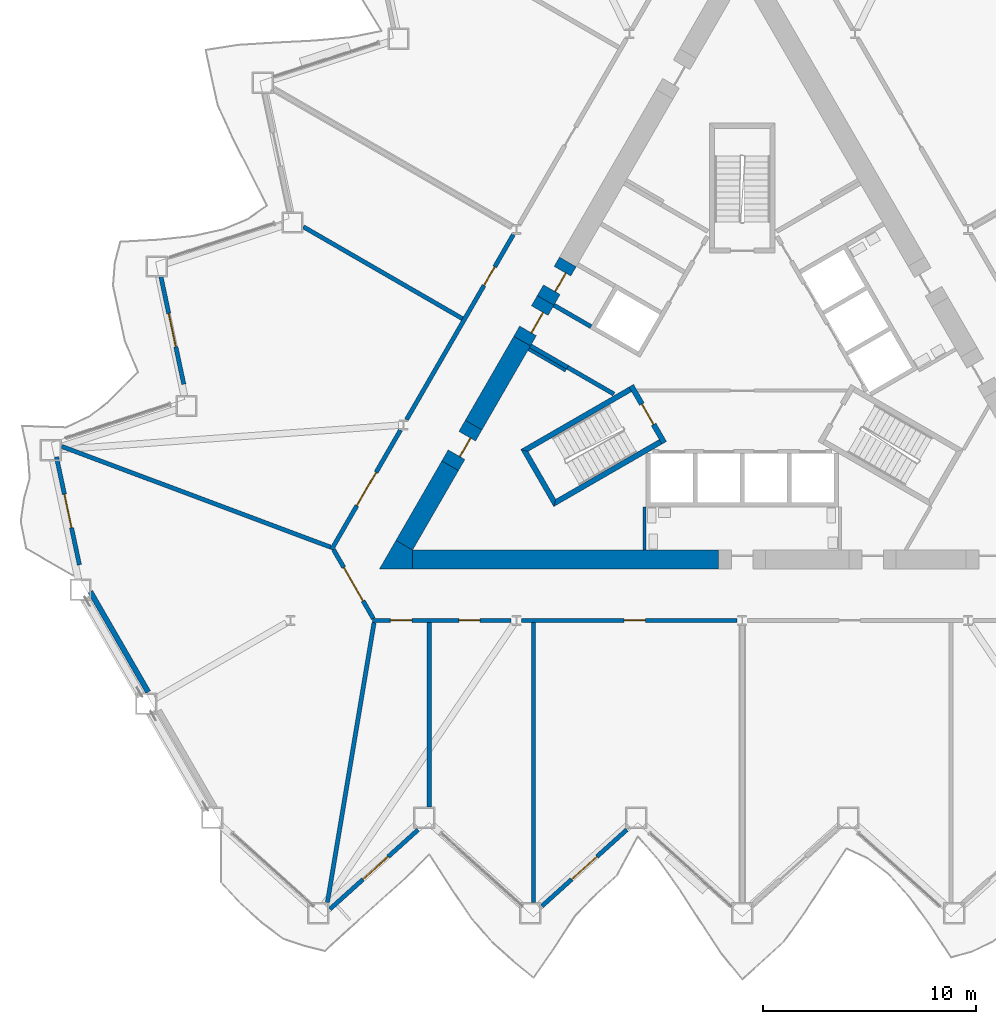
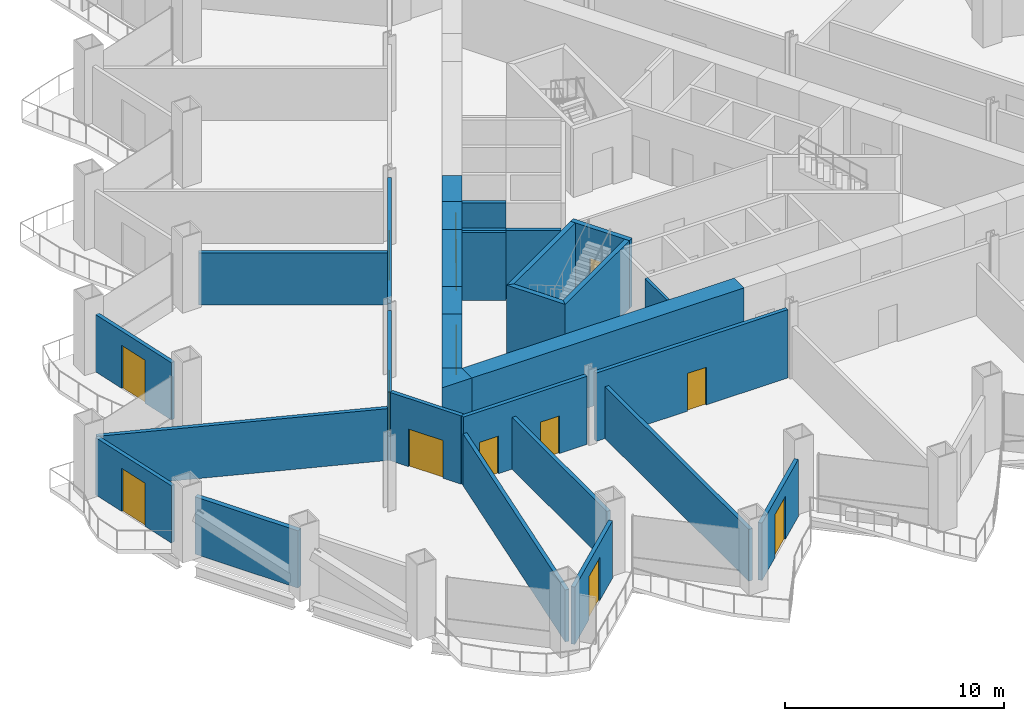
# One storey, part 9 of 20: 31 walls, 14 doors, 14 openings.
"""IFC4 building model written with IfcOpenShell, lengths in metres."""

from ifc_helpers import new_model, si_unit, direction, frame, frame_2d, origin, place, context, subcontext, project, spatial, polyline, rectangle, outline, extrude, material, layer, layer_set, type_object, element, fill, save


model = new_model("IFC4")

# Units and contexts
model_context = context("Model", 3, precision=1e-05, world=origin(), true_north=direction((0.0, 1.0)))
body_context = subcontext(model_context, "Body", "Model", "MODEL_VIEW")
ifc_project = project(units=[si_unit("LENGTHUNIT", "METRE"), si_unit("AREAUNIT", "SQUARE_METRE"), si_unit("VOLUMEUNIT", "CUBIC_METRE"), si_unit("PLANEANGLEUNIT", "RADIAN"), si_unit("MASSUNIT", "GRAM", prefix="KILO")], contexts=[model_context])

# Site, building, storey
site_placement = place(None, origin())
site = spatial("IfcSite", under=ifc_project, at=site_placement, CompositionType="ELEMENT")
building_placement = place(site_placement, origin())
building = spatial("IfcBuilding", under=site, at=building_placement, Name="Cormorant Prow Tower", CompositionType="ELEMENT")
storey_placement = place(building_placement, frame((0.0, 0.0, 55.199951171875)))
storey = spatial("IfcBuildingStorey", under=building, at=storey_placement, Name="L11", CompositionType="ELEMENT", Elevation=55.199951171875)

# Walls
ifc_material_1 = material(Name="Gypsum board partition")
ifc_layer_1 = layer(ifc_material_1, 0.14990234375)
ifc_layer_set_1 = layer_set([ifc_layer_1], Name="Gypsum board partition")
wall_type_1 = type_object("IfcWallType", Name="Core partition 150", PredefinedType="PARTITIONING", material=ifc_layer_set_1)
wall_1_placement = place(storey_placement, frame((-4.574951171875, -6.906005859375, 0.0), z_axis=(0.0, 0.0, 1.0), x_axis=(0.0, -1.0, 0.0)))
element("IfcWall", 1, at=wall_1_placement, inside=storey, type_object=wall_type_1, Name="Service room partition", PredefinedType="PARTITIONING", context=body_context, shape_type="SweptSolid", body=[
    extrude(rectangle(XDim=2.009033203125, YDim=0.14990234375, at=frame_2d((1.00439453125, 0.0))), origin(), (0.0, 0.0, 1.0), 3.800048828125),
])
wall_2_placement = place(storey_placement, frame((-8.268310546875, -0.509033203125, 0.0), z_axis=(0.0, 0.0, 1.0), x_axis=(-0.866035824272, 0.499981950752, 0.0)))
element("IfcWall", 2, at=wall_2_placement, inside=storey, type_object=wall_type_1, Name="Service room partition", PredefinedType="PARTITIONING", context=body_context, shape_type="SweptSolid", body=[
    extrude(rectangle(XDim=2.0087890625, YDim=0.14990234375, at=frame_2d((1.00439453125, 0.0))), origin(), (0.0, 0.0, 1.0), 3.800048828125),
])
ifc_material_2 = material(Name="Concrete 8000 psi", Category="concrete")
ifc_layer_2 = layer(ifc_material_2, 0.89990234375)
ifc_layer_set_2 = layer_set([ifc_layer_2], Name="Concrete 8000 psi")
wall_type_2 = type_object("IfcWallType", Name="Core shear wall 900", PredefinedType="SHEAR", material=ifc_layer_set_2)
wall_3_placement = place(storey_placement, frame((-15.441162109375, -9.364990234375, 0.0), z_axis=(0.0, 0.0, 1.0), x_axis=(1.0, 0.0, 0.0)))
element("IfcWall", 3, at=wall_3_placement, inside=storey, type_object=wall_type_2, Name="Core wall", PredefinedType="SHEAR", context=body_context, shape_type="SweptSolid", body=[
    extrude(rectangle(XDim=14.341064453125, YDim=0.89990234375, at=frame_2d((7.17041015625, 0.0))), origin(), (0.0, 0.0, 1.0), 3.800048828125),
])
wall_4_placement = place(storey_placement, frame((-10.310302734375, 0.8720703125, 0.0), z_axis=(0.0, 0.0, 1.0), x_axis=(-0.499968858743, -0.866043382451, 0.0)))
element("IfcWall", 4, at=wall_4_placement, inside=storey, type_object=wall_type_2, Name="Core wall", PredefinedType="SHEAR", context=body_context, shape_type="SweptSolid", body=[
    extrude(rectangle(XDim=4.545654296875, YDim=0.89990234375, at=frame_2d((2.27294921875, 0.0))), origin(), (0.0, 0.0, 1.0), 3.800048828125),
])
wall_5_placement = place(storey_placement, frame((-13.68310546875, -4.969970703125, 0.0), z_axis=(0.0, 0.0, 1.0), x_axis=(-0.499996331799, -0.866027521611, 0.0)))
element("IfcWall", 5, at=wall_5_placement, inside=storey, type_object=wall_type_2, Name="Core wall", PredefinedType="SHEAR", context=body_context, shape_type="SweptSolid", body=[
    extrude(rectangle(XDim=4.29541015625, YDim=0.89990234375, at=frame_2d((2.147705078125, 0.0))), origin(), (0.0, 0.0, 1.0), 3.800048828125),
])
wall_6_placement = place(storey_placement, origin())
element("IfcWall", 6, at=wall_6_placement, inside=storey, type_object=wall_type_2, Name="Core wall corner", PredefinedType="SHEAR", context=body_context, shape_type="SweptSolid", body=[
    extrude(outline(polyline([(-16.220703125, -8.465087890625), (-15.441162109375, -8.9150390625), (-15.441162109375, -9.81494140625), (-17.0, -9.81494140625), (-16.220703125, -8.465087890625)])), origin(), (0.0, 0.0, 1.0), 3.800048828125),
])

# Wall, opening, door
wall_7_placement = place(storey_placement, frame((-12.5830078125, -3.064697265625, 0.0), z_axis=(0.0, 0.0, 1.0), x_axis=(-0.50002983664, -0.866008176907, 0.0)))
wall_7 = element("IfcWall", 7, at=wall_7_placement, inside=storey, type_object=wall_type_2, Name="Core wall door panel", PredefinedType="SHEAR", context=body_context, shape_type="SweptSolid", body=[
    extrude(rectangle(XDim=2.199951171875, YDim=0.89990234375, at=frame_2d((1.10009765625, 0.0))), origin(), (0.0, 0.0, 1.0), 3.800048828125),
])
opening_1_placement = place(wall_7_placement, frame((0.60009765625, 0.0, 0.0)))
opening_1 = element("IfcOpeningElement", 8, at=opening_1_placement, cuts=wall_7, Name="Opening L11-C16", PredefinedType="OPENING", context=body_context, shape_type="SweptSolid", body=[
    extrude(rectangle(XDim=1.0, YDim=2.10009765625, at=frame_2d((0.5, 1.050048828125))), frame((0.0, 0.4599609375, 0.0), z_axis=(0.0, -1.0, 0.0), x_axis=(1.0, 0.0, 0.0)), (0.0, 0.0, 1.0), 0.919921875),
])
ifc_material_3 = material(Name="Painted steel", Category="steel")
door_type_1 = type_object("IfcDoorType", Name="Service door 1000x2100", OperationType="NOTDEFINED", PredefinedType="DOOR", material=ifc_material_3)
door_1_placement = place(opening_1_placement, origin())
door_1 = element("IfcDoor", 9, at=door_1_placement, inside=storey, type_object=door_type_1, Name="Core door, Telecom room", OperationType="SINGLE_SWING_LEFT", OverallHeight=2.10009765625, OverallWidth=1.0, PredefinedType="DOOR", context=body_context, shape_type="SweptSolid", body=[
    extrude(rectangle(XDim=1.0, YDim=2.10009765625, at=frame_2d((0.5, 1.050048828125))), frame((0.0, 0.205078125, 0.0), z_axis=(0.0, -1.0, 0.0), x_axis=(1.0, 0.0, 0.0)), (0.0, 0.0, 1.0), 0.050048828125),
])
fill(opening_1, door_1)

wall_8_placement = place(storey_placement, frame((-8.17041015625, 4.57861328125, 0.0), z_axis=(0.0, 0.0, 1.0), x_axis=(-0.499888406853, -0.866089822532, 0.0)))
wall_8 = element("IfcWall", 10, at=wall_8_placement, inside=storey, type_object=wall_type_2, Name="Core wall door panel", PredefinedType="SHEAR", context=body_context, shape_type="SweptSolid", body=[
    extrude(rectangle(XDim=2.080078125, YDim=0.89990234375, at=frame_2d((1.0400390625, 0.0))), origin(), (0.0, 0.0, 1.0), 3.800048828125),
])
opening_2_placement = place(wall_8_placement, frame((0.5, 0.0, 0.0)))
opening_2 = element("IfcOpeningElement", 11, at=opening_2_placement, cuts=wall_8, Name="Opening L11-C19", PredefinedType="OPENING", context=body_context, shape_type="SweptSolid", body=[
    extrude(rectangle(XDim=1.0, YDim=2.10009765625, at=frame_2d((0.5, 1.050048828125))), frame((0.0, 0.4599609375, 0.0), z_axis=(0.0, -1.0, 0.0), x_axis=(1.0, 0.0, 0.0)), (0.0, 0.0, 1.0), 0.919921875),
])
door_2_placement = place(opening_2_placement, origin())
door_2 = element("IfcDoor", 12, at=door_2_placement, inside=storey, type_object=door_type_1, Name="Core door, Electrical room", OperationType="SINGLE_SWING_RIGHT", OverallHeight=2.10009765625, OverallWidth=1.0, PredefinedType="DOOR", context=body_context, shape_type="SweptSolid", body=[
    extrude(rectangle(XDim=1.0, YDim=2.10009765625, at=frame_2d((0.5, 1.050048828125))), frame((0.0, 0.205078125, 0.0), z_axis=(0.0, -1.0, 0.0), x_axis=(1.0, 0.0, 0.0)), (0.0, 0.0, 1.0), 0.050048828125),
])
fill(opening_2, door_2)

wall_9_placement = place(storey_placement, frame((-9.210205078125, 2.777099609375, 0.0), z_axis=(0.0, 0.0, 1.0), x_axis=(-0.500077893725, -0.86598042715, 0.0)))
wall_9 = element("IfcWall", 13, at=wall_9_placement, inside=storey, type_object=wall_type_2, Name="Core wall door panel", PredefinedType="SHEAR", context=body_context, shape_type="SweptSolid", body=[
    extrude(rectangle(XDim=2.199951171875, YDim=0.89990234375, at=frame_2d((1.10009765625, 0.0))), origin(), (0.0, 0.0, 1.0), 3.800048828125),
])
opening_3_placement = place(wall_9_placement, frame((0.550048828125, 0.0, 0.0)))
opening_3 = element("IfcOpeningElement", 14, at=opening_3_placement, cuts=wall_9, Name="Opening L11-C23", PredefinedType="OPENING", context=body_context, shape_type="SweptSolid", body=[
    extrude(rectangle(XDim=1.10009765625, YDim=2.10009765625, at=frame_2d((0.550048828125, 1.050048828125))), frame((0.0, 0.4599609375, 0.0), z_axis=(0.0, -1.0, 0.0), x_axis=(1.0, 0.0, 0.0)), (0.0, 0.0, 1.0), 0.919921875),
])
ifc_material_4 = material(Name="Painted steel", Category="steel")
door_type_2 = type_object("IfcDoorType", Name="Core door 1100x2100", OperationType="NOTDEFINED", PredefinedType="DOOR", material=ifc_material_4)
door_3_placement = place(opening_3_placement, origin())
door_3 = element("IfcDoor", 15, at=door_3_placement, inside=storey, type_object=door_type_2, Name="Core door, lift lobby", OperationType="SINGLE_SWING_LEFT", OverallHeight=2.10009765625, OverallWidth=1.10009765625, PredefinedType="DOOR", context=body_context, shape_type="SweptSolid", body=[
    extrude(rectangle(XDim=1.10009765625, YDim=2.10009765625, at=frame_2d((0.550048828125, 1.050048828125))), frame((0.0, 0.205078125, 0.0), z_axis=(0.0, -1.0, 0.0), x_axis=(1.0, 0.0, 0.0)), (0.0, 0.0, 1.0), 0.050048828125),
])
fill(opening_3, door_3)

ifc_material_5 = material(Name="Gypsum board corridor wall")
ifc_layer_3 = layer(ifc_material_5, 0.199951171875)
ifc_layer_set_3 = layer_set([ifc_layer_3], Name="Gypsum board corridor wall")
wall_type_3 = type_object("IfcWallType", Name="Corridor wall 200", PredefinedType="PARTITIONING", material=ifc_layer_set_3)
wall_10_placement = place(storey_placement, frame((-10.336181640625, -12.215087890625, 0.0), z_axis=(0.0, 0.0, 1.0), x_axis=(1.0, 0.0, 0.0)))
wall_10 = element("IfcWall", 16, at=wall_10_placement, inside=storey, type_object=wall_type_3, Name="Corridor wall", PredefinedType="PARTITIONING", context=body_context, shape_type="SweptSolid", body=[
    extrude(rectangle(XDim=10.093994140625, YDim=0.199951171875, at=frame_2d((5.046875, 0.0))), origin(), (0.0, 0.0, 1.0), 3.800048828125),
])
opening_4_placement = place(wall_10_placement, frame((4.7998046875, 0.0, 0.0)))
opening_4 = element("IfcOpeningElement", 17, at=opening_4_placement, cuts=wall_10, Name="Opening L11-F03", PredefinedType="OPENING", context=body_context, shape_type="SweptSolid", body=[
    extrude(rectangle(XDim=1.0, YDim=2.10009765625, at=frame_2d((0.5, 1.050048828125))), frame((0.0, 0.10986328125, 0.0), z_axis=(0.0, -1.0, 0.0), x_axis=(1.0, 0.0, 0.0)), (0.0, 0.0, 1.0), 0.219970703125),
])
ifc_material_6 = material(Name="Timber door leaf", Category="wood")
door_type_3 = type_object("IfcDoorType", Name="Office door 1000x2100", OperationType="NOTDEFINED", PredefinedType="DOOR", material=ifc_material_6)
door_4_placement = place(opening_4_placement, origin())
door_4 = element("IfcDoor", 18, at=door_4_placement, inside=storey, type_object=door_type_3, Name="Tenant suite door", OperationType="SINGLE_SWING_RIGHT", OverallHeight=2.10009765625, OverallWidth=1.0, PredefinedType="DOOR", context=body_context, shape_type="SweptSolid", body=[
    extrude(rectangle(XDim=1.0, YDim=2.10009765625, at=frame_2d((0.5, 1.050048828125))), frame((0.0, 0.02490234375, 0.0), z_axis=(0.0, -1.0, 0.0), x_axis=(1.0, 0.0, 0.0)), (0.0, 0.0, 1.0), 0.050048828125),
])
fill(opening_4, door_4)

wall_11_placement = place(storey_placement, frame((-15.727783203125, -2.811279296875, 0.0), z_axis=(0.0, 0.0, 1.0), x_axis=(0.49999175339, 0.866030164915, 0.0)))
wall_11 = element("IfcWall", 19, at=wall_11_placement, inside=storey, type_object=wall_type_3, Name="Corridor wall", PredefinedType="PARTITIONING", context=body_context, shape_type="SweptSolid", body=[
    extrude(rectangle(XDim=10.018798828125, YDim=0.199951171875, at=frame_2d((5.00927734375, 0.0))), origin(), (0.0, 0.0, 1.0), 3.800048828125),
])
opening_5_placement = place(wall_11_placement, frame((7.265625, 0.0, 0.0)))
opening_5 = element("IfcOpeningElement", 20, at=opening_5_placement, cuts=wall_11, Name="Opening L11-F13", PredefinedType="OPENING", context=body_context, shape_type="SweptSolid", body=[
    extrude(rectangle(XDim=1.0, YDim=2.10009765625, at=frame_2d((0.5, 1.050048828125))), frame((0.0, 0.10986328125, 0.0), z_axis=(0.0, -1.0, 0.0), x_axis=(1.0, 0.0, 0.0)), (0.0, 0.0, 1.0), 0.219970703125),
])
door_5_placement = place(opening_5_placement, origin())
door_5 = element("IfcDoor", 21, at=door_5_placement, inside=storey, type_object=door_type_3, Name="Private office door", OperationType="SINGLE_SWING_LEFT", OverallHeight=2.10009765625, OverallWidth=1.0, PredefinedType="DOOR", context=body_context, shape_type="SweptSolid", body=[
    extrude(rectangle(XDim=1.0, YDim=2.10009765625, at=frame_2d((0.5, 1.050048828125))), frame((0.0, 0.02490234375, 0.0), z_axis=(0.0, -1.0, 0.0), x_axis=(1.0, 0.0, 0.0)), (0.0, 0.0, 1.0), 0.050048828125),
])
fill(opening_5, door_5)

# Wall, openings, doors
wall_12_placement = place(storey_placement, frame((-17.330810546875, -12.215087890625, 0.0), z_axis=(0.0, 0.0, 1.0), x_axis=(1.0, 0.0, 0.0)))
wall_12 = element("IfcWall", 22, at=wall_12_placement, inside=storey, type_object=wall_type_3, Name="Corridor wall", PredefinedType="PARTITIONING", context=body_context, shape_type="SweptSolid", body=[
    extrude(rectangle(XDim=6.510009765625, YDim=0.199951171875, at=frame_2d((3.2548828125, 0.0))), origin(), (0.0, 0.0, 1.0), 3.800048828125),
])
opening_6_placement = place(wall_12_placement, frame((0.851318359375, 0.0, 0.0)))
opening_6 = element("IfcOpeningElement", 23, at=opening_6_placement, cuts=wall_12, Name="Opening L11-F01", PredefinedType="OPENING", context=body_context, shape_type="SweptSolid", body=[
    extrude(rectangle(XDim=1.0, YDim=2.10009765625, at=frame_2d((0.5, 1.050048828125))), frame((0.0, 0.10986328125, 0.0), z_axis=(0.0, -1.0, 0.0), x_axis=(1.0, 0.0, 0.0)), (0.0, 0.0, 1.0), 0.219970703125),
])
opening_7_placement = place(wall_12_placement, frame((4.0576171875, 0.0, 0.0)))
opening_7 = element("IfcOpeningElement", 24, at=opening_7_placement, cuts=wall_12, Name="Opening L11-F02", PredefinedType="OPENING", context=body_context, shape_type="SweptSolid", body=[
    extrude(rectangle(XDim=1.0, YDim=2.10009765625, at=frame_2d((0.5, 1.050048828125))), frame((0.0, 0.10986328125, 0.0), z_axis=(0.0, -1.0, 0.0), x_axis=(1.0, 0.0, 0.0)), (0.0, 0.0, 1.0), 0.219970703125),
])
door_6_placement = place(opening_6_placement, origin())
door_6 = element("IfcDoor", 25, at=door_6_placement, inside=storey, type_object=door_type_3, Name="Private office door", OperationType="SINGLE_SWING_LEFT", OverallHeight=2.10009765625, OverallWidth=1.0, PredefinedType="DOOR", context=body_context, shape_type="SweptSolid", body=[
    extrude(rectangle(XDim=1.0, YDim=2.10009765625, at=frame_2d((0.5, 1.050048828125))), frame((0.0, 0.02490234375, 0.0), z_axis=(0.0, -1.0, 0.0), x_axis=(1.0, 0.0, 0.0)), (0.0, 0.0, 1.0), 0.050048828125),
])
fill(opening_6, door_6)
door_7_placement = place(opening_7_placement, origin())
door_7 = element("IfcDoor", 26, at=door_7_placement, inside=storey, type_object=door_type_3, Name="Private office door", OperationType="SINGLE_SWING_RIGHT", OverallHeight=2.10009765625, OverallWidth=1.0, PredefinedType="DOOR", context=body_context, shape_type="SweptSolid", body=[
    extrude(rectangle(XDim=1.0, YDim=2.10009765625, at=frame_2d((0.5, 1.050048828125))), frame((0.0, 0.02490234375, 0.0), z_axis=(0.0, -1.0, 0.0), x_axis=(1.0, 0.0, 0.0)), (0.0, 0.0, 1.0), 0.050048828125),
])
fill(opening_7, door_7)

# Wall, opening, door
wall_13_placement = place(storey_placement, frame((-19.243896484375, -8.901611328125, 0.0), z_axis=(0.0, 0.0, 1.0), x_axis=(0.499984737558, 0.86603421538, 0.0)))
wall_13 = element("IfcWall", 27, at=wall_13_placement, inside=storey, type_object=wall_type_3, Name="Corridor wall", PredefinedType="PARTITIONING", context=body_context, shape_type="SweptSolid", body=[
    extrude(rectangle(XDim=6.472900390625, YDim=0.199951171875, at=frame_2d((3.236328125, 0.0))), origin(), (0.0, 0.0, 1.0), 3.800048828125),
])
opening_8_placement = place(wall_13_placement, frame((2.38720703125, 0.0, 0.0)))
opening_8 = element("IfcOpeningElement", 28, at=opening_8_placement, cuts=wall_13, Name="Opening L11-F14", PredefinedType="OPENING", context=body_context, shape_type="SweptSolid", body=[
    extrude(rectangle(XDim=1.800048828125, YDim=2.10009765625, at=frame_2d((0.89990234375, 1.050048828125))), frame((0.0, 0.10986328125, 0.0), z_axis=(0.0, -1.0, 0.0), x_axis=(1.0, 0.0, 0.0)), (0.0, 0.0, 1.0), 0.219970703125),
])
ifc_material_7 = material(Name="Timber door leaf", Category="wood")
door_type_4 = type_object("IfcDoorType", Name="Double door 1800x2100", OperationType="DOUBLE_DOOR_SINGLE_SWING", PredefinedType="DOOR", material=ifc_material_7)
door_8_placement = place(opening_8_placement, origin())
door_8 = element("IfcDoor", 29, at=door_8_placement, inside=storey, type_object=door_type_4, Name="Trading room door", OperationType="DOUBLE_DOOR_SINGLE_SWING", OverallHeight=2.10009765625, OverallWidth=1.800048828125, PredefinedType="DOOR", context=body_context, shape_type="SweptSolid", body=[
    extrude(rectangle(XDim=1.800048828125, YDim=2.10009765625, at=frame_2d((0.89990234375, 1.050048828125))), frame((0.0, 0.02490234375, 0.0), z_axis=(0.0, -1.0, 0.0), x_axis=(1.0, 0.0, 0.0)), (0.0, 0.0, 1.0), 0.050048828125),
])
fill(opening_8, door_8)

wall_14_placement = place(storey_placement, frame((-19.143798828125, -8.901611328125, 0.0), z_axis=(0.0, 0.0, 1.0), x_axis=(0.499958791762, -0.866049194065, 0.0)))
wall_14 = element("IfcWall", 30, at=wall_14_placement, inside=storey, type_object=wall_type_3, Name="Corridor wall", PredefinedType="PARTITIONING", context=body_context, shape_type="SweptSolid", body=[
    extrude(rectangle(XDim=3.725830078125, YDim=0.199951171875, at=frame_2d((1.86279296875, 0.0))), origin(), (0.0, 0.0, 1.0), 3.800048828125),
])
opening_9_placement = place(wall_14_placement, frame((0.962890625, 0.0, 0.0)))
opening_9 = element("IfcOpeningElement", 31, at=opening_9_placement, cuts=wall_14, Name="Opening L11-F15", PredefinedType="OPENING", context=body_context, shape_type="SweptSolid", body=[
    extrude(rectangle(XDim=1.800048828125, YDim=2.10009765625, at=frame_2d((0.89990234375, 1.050048828125))), frame((0.0, 0.10986328125, 0.0), z_axis=(0.0, -1.0, 0.0), x_axis=(1.0, 0.0, 0.0)), (0.0, 0.0, 1.0), 0.219970703125),
])
door_9_placement = place(opening_9_placement, origin())
door_9 = element("IfcDoor", 32, at=door_9_placement, inside=storey, type_object=door_type_4, Name="Trading room door", OperationType="DOUBLE_DOOR_SINGLE_SWING", OverallHeight=2.10009765625, OverallWidth=1.800048828125, PredefinedType="DOOR", context=body_context, shape_type="SweptSolid", body=[
    extrude(rectangle(XDim=1.800048828125, YDim=2.10009765625, at=frame_2d((0.89990234375, 1.050048828125))), frame((0.0, 0.02490234375, 0.0), z_axis=(0.0, -1.0, 0.0), x_axis=(1.0, 0.0, 0.0)), (0.0, 0.0, 1.0), 0.050048828125),
])
fill(opening_9, door_9)

# Walls
ifc_material_8 = material(Name="Gypsum board demising wall")
ifc_layer_4 = layer(ifc_material_8, 0.199951171875)
ifc_layer_set_4 = layer_set([ifc_layer_4], Name="Gypsum board demising wall")
wall_type_4 = type_object("IfcWallType", Name="Demising wall 200", PredefinedType="PARTITIONING", material=ifc_layer_set_4)
wall_15_placement = place(storey_placement, frame((-31.87939453125, -4.0625, 0.0), z_axis=(0.0, 0.0, 1.0), x_axis=(0.93644254502, -0.350820979814, 0.0)))
element("IfcWall", 33, at=wall_15_placement, inside=storey, type_object=wall_type_4, Name="Demising wall", PredefinedType="PARTITIONING", context=body_context, shape_type="SweptSolid", body=[
    extrude(rectangle(XDim=13.446533203125, YDim=0.199951171875, at=frame_2d((6.72314453125, 0.0))), origin(), (0.0, 0.0, 1.0), 2.88525390625),
])
wall_16_placement = place(storey_placement, frame((-19.431884765625, -25.42138671875, 0.0), z_axis=(0.0, 0.0, 1.0), x_axis=(0.164396008001, 0.986394420378, 0.0)))
element("IfcWall", 34, at=wall_16_placement, inside=storey, type_object=wall_type_4, Name="Demising wall", PredefinedType="PARTITIONING", context=body_context, shape_type="SweptSolid", body=[
    extrude(rectangle(XDim=13.28857421875, YDim=0.199951171875, at=frame_2d((6.644287109375, 0.0))), origin(), (0.0, 0.0, 1.0), 2.88525390625),
])
wall_17_placement = place(storey_placement, frame((-9.775390625, -25.42138671875, 0.0), z_axis=(0.0, 0.0, 1.0), x_axis=(0.0, 1.0, 0.0)))
element("IfcWall", 35, at=wall_17_placement, inside=storey, type_object=wall_type_4, Name="Demising wall", PredefinedType="PARTITIONING", context=body_context, shape_type="SweptSolid", body=[
    extrude(rectangle(XDim=13.1064453125, YDim=0.199951171875, at=frame_2d((6.55322265625, 0.0))), origin(), (0.0, 0.0, 1.0), 2.88525390625),
])
wall_18_placement = place(storey_placement, frame((-14.663330078125, -20.949951171875, 0.0), z_axis=(0.0, 0.0, 1.0), x_axis=(0.0, 1.0, 0.0)))
element("IfcWall", 36, at=wall_18_placement, inside=storey, type_object=wall_type_4, Name="Demising wall", PredefinedType="PARTITIONING", context=body_context, shape_type="SweptSolid", body=[
    extrude(rectangle(XDim=8.635009765625, YDim=0.199951171875, at=frame_2d((4.3173828125, 0.0))), origin(), (0.0, 0.0, 1.0), 2.88525390625),
])
wall_19_placement = place(storey_placement, frame((-20.557861328125, 6.22509765625, 0.0), z_axis=(0.0, 0.0, 1.0), x_axis=(0.866031967744, -0.499988630717, 0.0)))
element("IfcWall", 37, at=wall_19_placement, inside=storey, type_object=wall_type_4, Name="Demising wall", PredefinedType="PARTITIONING", context=body_context, shape_type="SweptSolid", body=[
    extrude(rectangle(XDim=8.601318359375, YDim=0.199951171875, at=frame_2d((4.30078125, 0.0))), origin(), (0.0, 0.0, 1.0), 2.88525390625),
])
ifc_material_9 = material(Name="Concrete 8000 psi", Category="concrete")
ifc_layer_5 = layer(ifc_material_9, 0.199951171875)
ifc_layer_set_5 = layer_set([ifc_layer_5], Name="Concrete 8000 psi")
wall_type_5 = type_object("IfcWallType", Name="Lift shaft wall 200", PredefinedType="SHEAR", material=ifc_layer_set_5)
wall_20_placement = place(storey_placement, origin())
element("IfcWall", 38, at=wall_20_placement, inside=storey, type_object=wall_type_5, Name="Lift shaft walls, WNW block", PredefinedType="SHEAR", context=body_context, shape_type="SweptSolid", body=[
    extrude(outline(polyline([(-6.060546875, -1.697021484375), (-8.230712890625, -0.444091796875), (-8.130859375, -0.27099609375), (-5.96044921875, -1.52392578125), (-6.060546875, -1.697021484375)])), origin(), (0.0, 0.0, 1.0), 3.800048828125),
])
wall_21_placement = place(storey_placement, frame((-7.080810546875, 1.547607421875, 0.0), z_axis=(0.0, 0.0, 1.0), x_axis=(-0.865983199114, 0.50007309351, 0.0)))
element("IfcWall", 39, at=wall_21_placement, inside=storey, type_object=wall_type_5, Name="Lobby passage wall", PredefinedType="SHEAR", context=body_context, shape_type="SweptSolid", body=[
    extrude(rectangle(XDim=2.009033203125, YDim=0.199951171875, at=frame_2d((1.00439453125, 0.0))), origin(), (0.0, 0.0, 1.0), 3.800048828125),
])
wall_22_placement = place(storey_placement, frame((-8.180908203125, -0.357421875, 0.0), z_axis=(0.0, 0.0, 1.0), x_axis=(-0.866035824272, 0.499981950752, 0.0)))
element("IfcWall", 40, at=wall_22_placement, inside=storey, type_object=wall_type_5, Name="Lobby passage wall", PredefinedType="SHEAR", context=body_context, shape_type="SweptSolid", body=[
    extrude(rectangle(XDim=2.0087890625, YDim=0.199951171875, at=frame_2d((1.00439453125, 0.0))), origin(), (0.0, 0.0, 1.0), 3.800048828125),
])
ifc_material_10 = material(Name="Concrete 8000 psi", Category="concrete")
ifc_layer_6 = layer(ifc_material_10, 0.25)
ifc_layer_set_6 = layer_set([ifc_layer_6], Name="Concrete 8000 psi")
wall_type_6 = type_object("IfcWallType", Name="Stair wall 250", PredefinedType="SHEAR", material=ifc_layer_set_6)
wall_23_placement = place(storey_placement, origin())
element("IfcWall", 41, at=wall_23_placement, inside=storey, type_object=wall_type_6, Name="Stair ST1 enclosure wall (flank)", PredefinedType="SHEAR", context=body_context, shape_type="SweptSolid", body=[
    extrude(outline(polyline([(-5.30712890625, -1.28125), (-10.37353515625, -4.206298828125), (-10.031982421875, -4.2978515625), (-5.18212890625, -1.497802734375), (-5.30712890625, -1.28125)])), origin(), (0.0, 0.0, 1.0), 3.800048828125),
])
wall_24_placement = place(storey_placement, origin())
element("IfcWall", 42, at=wall_24_placement, inside=storey, type_object=wall_type_6, Name="Stair ST1 enclosure wall (end)", PredefinedType="SHEAR", context=body_context, shape_type="SweptSolid", body=[
    extrude(outline(polyline([(-10.37353515625, -4.206298828125), (-8.82958984375, -6.880615234375), (-8.738037109375, -6.5390625), (-10.031982421875, -4.2978515625), (-10.37353515625, -4.206298828125)])), origin(), (0.0, 0.0, 1.0), 3.800048828125),
])
wall_25_placement = place(storey_placement, origin())
element("IfcWall", 43, at=wall_25_placement, inside=storey, type_object=wall_type_6, Name="Stair ST1 enclosure wall (flank)", PredefinedType="SHEAR", context=body_context, shape_type="SweptSolid", body=[
    extrude(outline(polyline([(-8.738037109375, -6.5390625), (-8.82958984375, -6.880615234375), (-3.76318359375, -3.95556640625), (-3.88818359375, -3.739013671875), (-8.738037109375, -6.5390625)])), origin(), (0.0, 0.0, 1.0), 3.800048828125),
])

# Wall, opening, door
wall_26_placement = place(storey_placement, frame((-5.198974609375, -1.21875, 0.0), z_axis=(0.0, 0.0, 1.0), x_axis=(0.499982516597, -0.866035497597, 0.0)))
wall_26 = element("IfcWall", 44, at=wall_26_placement, inside=storey, type_object=wall_type_6, Name="Stair ST1 door wall", PredefinedType="SHEAR", context=body_context, shape_type="SweptSolid", body=[
    extrude(rectangle(XDim=3.087890625, YDim=0.25, at=frame_2d((1.5439453125, 0.0))), origin(), (0.0, 0.0, 1.0), 3.800048828125),
])
opening_10_placement = place(wall_26_placement, frame((0.993896484375, 0.0, 0.0)))
opening_10 = element("IfcOpeningElement", 45, at=opening_10_placement, cuts=wall_26, Name="Opening L11-C12", PredefinedType="OPENING", context=body_context, shape_type="SweptSolid", body=[
    extrude(rectangle(XDim=1.10009765625, YDim=2.10009765625, at=frame_2d((0.550048828125, 1.050048828125))), frame((0.0, 0.135009765625, 0.0), z_axis=(0.0, -1.0, 0.0), x_axis=(1.0, 0.0, 0.0)), (0.0, 0.0, 1.0), 0.27001953125),
])
ifc_material_11 = material(Name="Painted steel", Category="steel")
door_type_5 = type_object("IfcDoorType", Name="Stair door 1100x2100", OperationType="NOTDEFINED", PredefinedType="DOOR", material=ifc_material_11)
door_10_placement = place(opening_10_placement, origin())
door_10 = element("IfcDoor", 46, at=door_10_placement, inside=storey, type_object=door_type_5, Name="Stair ST1 door", OperationType="SINGLE_SWING_LEFT", OverallHeight=2.10009765625, OverallWidth=1.10009765625, PredefinedType="DOOR", context=body_context, shape_type="SweptSolid", body=[
    extrude(rectangle(XDim=1.10009765625, YDim=2.10009765625, at=frame_2d((0.550048828125, 1.050048828125))), frame((0.0, 0.02490234375, 0.0), z_axis=(0.0, -1.0, 0.0), x_axis=(1.0, 0.0, 0.0)), (0.0, 0.0, 1.0), 0.050048828125),
])
fill(opening_10, door_10)

# Wall
ifc_material_12 = material(Name="Terracotta", Category="masonry")
ifc_layer_7 = layer(ifc_material_12, 0.25)
ifc_layer_set_7 = layer_set([ifc_layer_7], Name="Terracotta")
wall_type_7 = type_object("IfcWallType", Name="Terracotta bay wall 250", PredefinedType="SOLIDWALL", material=ifc_layer_set_7)
wall_27_placement = place(storey_placement, frame((-30.540283203125, -10.867919921875, 0.0), z_axis=(0.0, 0.0, 1.0), x_axis=(0.499991204533, -0.86603048179, 0.0)))
element("IfcWall", 47, at=wall_27_placement, inside=storey, type_object=wall_type_7, Name="Terracotta bay wall WSW00", PredefinedType="SOLIDWALL", context=body_context, shape_type="SweptSolid", body=[
    extrude(rectangle(XDim=5.42578125, YDim=0.25, at=frame_2d((2.712890625, 0.0))), origin(), (0.0, 0.0, 1.0), 3.18896484375),
])

# Wall, opening, door
ifc_material_13 = material(Name="Terracotta", Category="masonry")
ifc_layer_8 = layer(ifc_material_13, 0.199951171875)
ifc_layer_set_8 = layer_set([ifc_layer_8], Name="Terracotta")
wall_type_8 = type_object("IfcWallType", Name="Terracotta jamb wall 200", PredefinedType="SOLIDWALL", material=ifc_layer_set_8)
wall_28_placement = place(storey_placement, frame((-19.310791015625, -25.73583984375, 0.0), z_axis=(0.0, 0.0, 1.0), x_axis=(0.743147692621, 0.66912742206, 0.0)))
wall_28 = element("IfcWall", 48, at=wall_28_placement, inside=storey, type_object=wall_type_8, Name="Terracotta jamb wall S01", PredefinedType="SOLIDWALL", context=body_context, shape_type="SweptSolid", body=[
    extrude(rectangle(XDim=5.554443359375, YDim=0.199951171875, at=frame_2d((2.77734375, 0.0))), origin(), (0.0, 0.0, 1.0), 3.18896484375),
])
opening_11_placement = place(wall_28_placement, frame((2.0751953125, 0.0, 0.0)))
opening_11 = element("IfcOpeningElement", 49, at=opening_11_placement, cuts=wall_28, Name="Opening ED11.01", PredefinedType="OPENING", context=body_context, shape_type="SweptSolid", body=[
    extrude(rectangle(XDim=1.60009765625, YDim=2.39990234375, at=frame_2d((0.800048828125, 1.199951171875))), frame((0.0, 0.10986328125, 0.0), z_axis=(0.0, -1.0, 0.0), x_axis=(1.0, 0.0, 0.0)), (0.0, 0.0, 1.0), 0.219970703125),
])
ifc_material_14 = material(Name="Aluminium 6063-T6", Category="aluminium")
door_type_6 = type_object("IfcDoorType", Name="Balcony door 1600x2400", OperationType="DOUBLE_DOOR_SINGLE_SWING", PredefinedType="DOOR", material=ifc_material_14)
door_11_placement = place(opening_11_placement, origin())
door_11 = element("IfcDoor", 50, at=door_11_placement, inside=storey, type_object=door_type_6, Name="Balcony door S01 ED11.01", OperationType="DOUBLE_DOOR_SINGLE_SWING", OverallHeight=2.39990234375, OverallWidth=1.60009765625, PredefinedType="DOOR", context=body_context, shape_type="SweptSolid", body=[
    extrude(rectangle(XDim=1.60009765625, YDim=2.39990234375, at=frame_2d((0.800048828125, 1.199951171875))), frame((0.0, 0.02490234375, 0.0), z_axis=(0.0, -1.0, 0.0), x_axis=(1.0, 0.0, 0.0)), (0.0, 0.0, 1.0), 0.050048828125),
])
fill(opening_11, door_11)

wall_29_placement = place(storey_placement, frame((-9.378662109375, -25.594970703125, 0.0), z_axis=(0.0, 0.0, 1.0), x_axis=(0.743144193556, 0.669131308178, 0.0)))
wall_29 = element("IfcWall", 51, at=wall_29_placement, inside=storey, type_object=wall_type_8, Name="Terracotta jamb wall S03", PredefinedType="SOLIDWALL", context=body_context, shape_type="SweptSolid", body=[
    extrude(rectangle(XDim=5.34375, YDim=0.199951171875, at=frame_2d((2.671875, 0.0))), origin(), (0.0, 0.0, 1.0), 3.18896484375),
])
opening_12_placement = place(wall_29_placement, frame((1.864501953125, 0.0, 0.0)))
opening_12 = element("IfcOpeningElement", 52, at=opening_12_placement, cuts=wall_29, Name="Opening ED11.02", PredefinedType="OPENING", context=body_context, shape_type="SweptSolid", body=[
    extrude(rectangle(XDim=1.60009765625, YDim=2.39990234375, at=frame_2d((0.800048828125, 1.199951171875))), frame((0.0, 0.10986328125, 0.0), z_axis=(0.0, -1.0, 0.0), x_axis=(1.0, 0.0, 0.0)), (0.0, 0.0, 1.0), 0.219970703125),
])
door_12_placement = place(opening_12_placement, origin())
door_12 = element("IfcDoor", 53, at=door_12_placement, inside=storey, type_object=door_type_6, Name="Balcony door S03 ED11.02", OperationType="DOUBLE_DOOR_SINGLE_SWING", OverallHeight=2.39990234375, OverallWidth=1.60009765625, PredefinedType="DOOR", context=body_context, shape_type="SweptSolid", body=[
    extrude(rectangle(XDim=1.60009765625, YDim=2.39990234375, at=frame_2d((0.800048828125, 1.199951171875))), frame((0.0, 0.02490234375, 0.0), z_axis=(0.0, -1.0, 0.0), x_axis=(1.0, 0.0, 0.0)), (0.0, 0.0, 1.0), 0.050048828125),
])
fill(opening_12, door_12)

wall_30_placement = place(storey_placement, frame((-27.235595703125, 3.91064453125, 0.0), z_axis=(0.0, 0.0, 1.0), x_axis=(0.207877954287, -0.978154771047, 0.0)))
wall_30 = element("IfcWall", 54, at=wall_30_placement, inside=storey, type_object=wall_type_8, Name="Terracotta jamb wall WNW07", PredefinedType="SOLIDWALL", context=body_context, shape_type="SweptSolid", body=[
    extrude(rectangle(XDim=5.171142578125, YDim=0.199951171875, at=frame_2d((2.58544921875, 0.0))), origin(), (0.0, 0.0, 1.0), 3.18896484375),
])
opening_13_placement = place(wall_30_placement, frame((1.78564453125, 0.0, 0.0)))
opening_13 = element("IfcOpeningElement", 55, at=opening_13_placement, cuts=wall_30, Name="Opening ED11.14", PredefinedType="OPENING", context=body_context, shape_type="SweptSolid", body=[
    extrude(rectangle(XDim=1.60009765625, YDim=2.39990234375, at=frame_2d((0.800048828125, 1.199951171875))), frame((0.0, 0.10986328125, 0.0), z_axis=(0.0, -1.0, 0.0), x_axis=(1.0, 0.0, 0.0)), (0.0, 0.0, 1.0), 0.219970703125),
])
door_13_placement = place(opening_13_placement, origin())
door_13 = element("IfcDoor", 56, at=door_13_placement, inside=storey, type_object=door_type_6, Name="Balcony door WNW07 ED11.14", OperationType="DOUBLE_DOOR_SINGLE_SWING", OverallHeight=2.39990234375, OverallWidth=1.60009765625, PredefinedType="DOOR", context=body_context, shape_type="SweptSolid", body=[
    extrude(rectangle(XDim=1.60009765625, YDim=2.39990234375, at=frame_2d((0.800048828125, 1.199951171875))), frame((0.0, 0.02490234375, 0.0), z_axis=(0.0, -1.0, 0.0), x_axis=(1.0, 0.0, 0.0)), (0.0, 0.0, 1.0), 0.050048828125),
])
fill(opening_13, door_13)

wall_31_placement = place(storey_placement, frame((-32.12353515625, -4.55517578125, 0.0), z_axis=(0.0, 0.0, 1.0), x_axis=(0.207923126203, -0.978145169998, 0.0)))
wall_31 = element("IfcWall", 57, at=wall_31_placement, inside=storey, type_object=wall_type_8, Name="Terracotta jamb wall WNW09", PredefinedType="SOLIDWALL", context=body_context, shape_type="SweptSolid", body=[
    extrude(rectangle(XDim=5.171142578125, YDim=0.199951171875, at=frame_2d((2.58544921875, 0.0))), origin(), (0.0, 0.0, 1.0), 3.18896484375),
])
opening_14_placement = place(wall_31_placement, frame((1.78564453125, 0.0, 0.0)))
opening_14 = element("IfcOpeningElement", 58, at=opening_14_placement, cuts=wall_31, Name="Opening ED11.15", PredefinedType="OPENING", context=body_context, shape_type="SweptSolid", body=[
    extrude(rectangle(XDim=1.60009765625, YDim=2.39990234375, at=frame_2d((0.800048828125, 1.199951171875))), frame((0.0, 0.10986328125, 0.0), z_axis=(0.0, -1.0, 0.0), x_axis=(1.0, 0.0, 0.0)), (0.0, 0.0, 1.0), 0.219970703125),
])
door_14_placement = place(opening_14_placement, origin())
door_14 = element("IfcDoor", 59, at=door_14_placement, inside=storey, type_object=door_type_6, Name="Balcony door WNW09 ED11.15", OperationType="DOUBLE_DOOR_SINGLE_SWING", OverallHeight=2.39990234375, OverallWidth=1.60009765625, PredefinedType="DOOR", context=body_context, shape_type="SweptSolid", body=[
    extrude(rectangle(XDim=1.60009765625, YDim=2.39990234375, at=frame_2d((0.800048828125, 1.199951171875))), frame((0.0, 0.02490234375, 0.0), z_axis=(0.0, -1.0, 0.0), x_axis=(1.0, 0.0, 0.0)), (0.0, 0.0, 1.0), 0.050048828125),
])
fill(opening_14, door_14)

save(model, "model.ifc")
